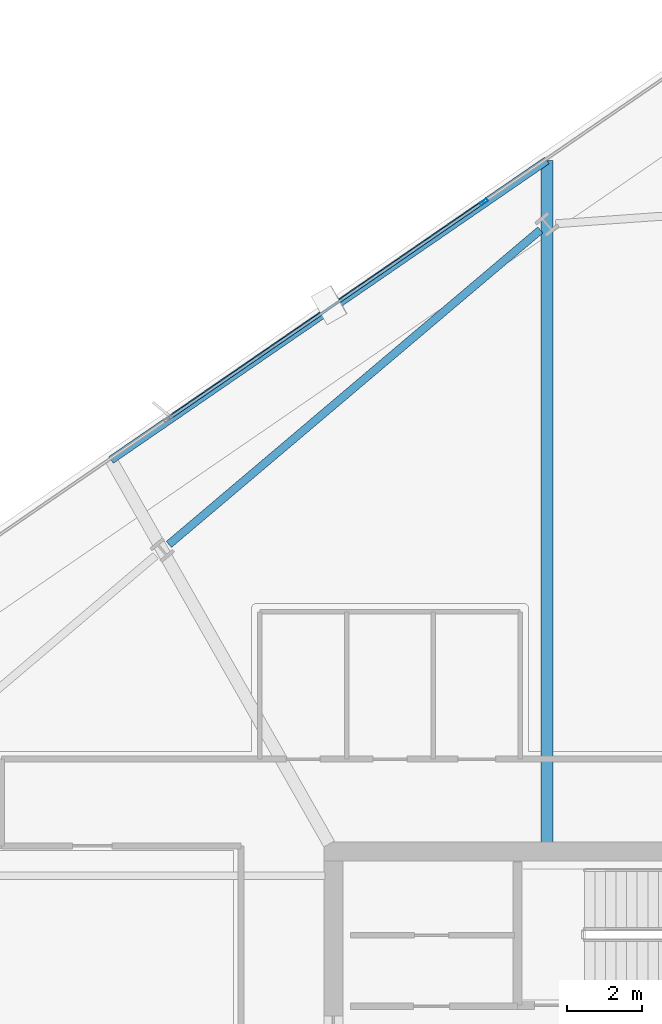
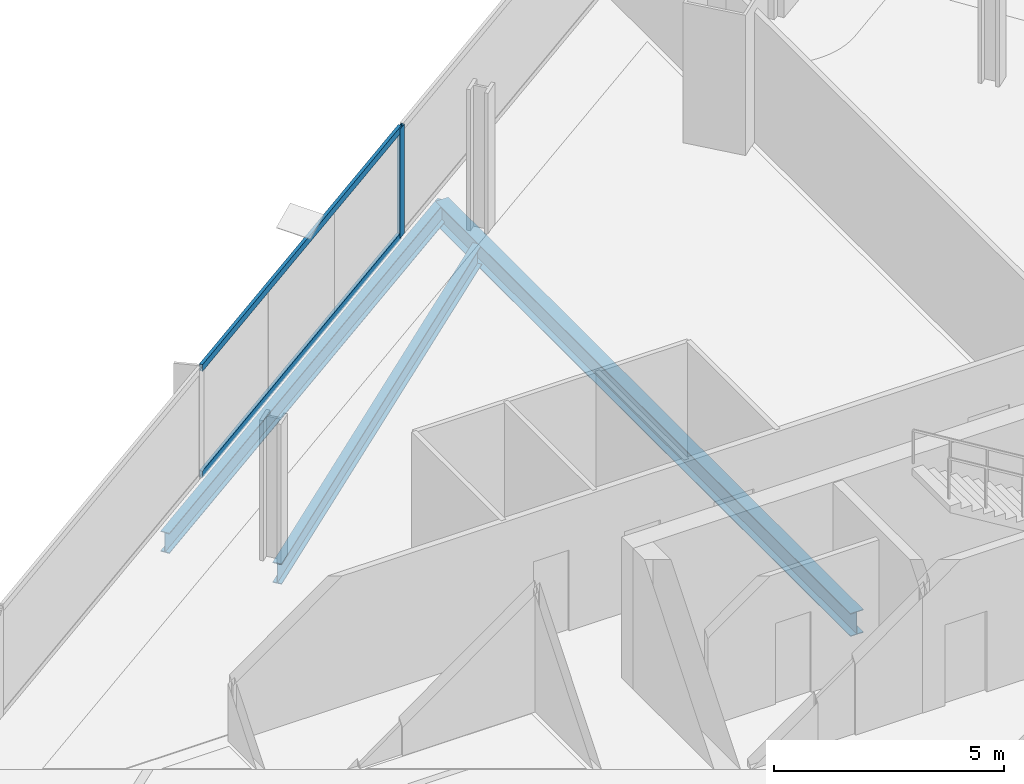
# One storey, part 15 of 29: 3 beams, 3 members, 1 element without a shape of its own.
"""IFC4 building model written with IfcOpenShell, lengths in metres."""

from ifc_helpers import new_model, si_unit, direction, frame, origin, origin_2d, place, context, subcontext, project, spatial, hollow_rectangle, i_section, extrude, material, material_profile, profile_set, type_object, element, aggregate, save


model = new_model("IFC4")

# Units and contexts
model_context = context("Model", 3, precision=1e-05, world=origin(), true_north=direction((0.0, 1.0)))
body_context = subcontext(model_context, "Body", "Model", "MODEL_VIEW")
ifc_project = project(units=[si_unit("LENGTHUNIT", "METRE"), si_unit("AREAUNIT", "SQUARE_METRE"), si_unit("VOLUMEUNIT", "CUBIC_METRE"), si_unit("PLANEANGLEUNIT", "RADIAN"), si_unit("MASSUNIT", "GRAM", prefix="KILO")], contexts=[model_context])

# Site, building, storey
site_placement = place(None, origin())
site = spatial("IfcSite", under=ifc_project, at=site_placement, CompositionType="ELEMENT")
building_placement = place(site_placement, origin())
building = spatial("IfcBuilding", under=site, at=building_placement, Name="Haldenkirk Collegiate Tower", CompositionType="ELEMENT")
storey_placement = place(building_placement, frame((0.0, 0.0, 144.449951171875)))
storey = spatial("IfcBuildingStorey", under=building, at=storey_placement, Name="L35", CompositionType="ELEMENT", Elevation=144.449951171875)

# Beams
ifc_material_1 = material(Name="Steel ASTM A992 Grade 50", Category="steel")
ifc_material_profile_1 = material_profile(ifc_material_1, i_section(OverallWidth=0.324951171875, OverallDepth=0.615966796875, WebThickness=0.013916015625, FlangeThickness=0.021484375, at=origin_2d()), Name="W24X117")
ifc_profile_set_1 = profile_set([ifc_material_profile_1], Name="Steel ASTM A992 Grade 50")
beam_type_1 = type_object("IfcBeamType", Name="BM-GIRDER-W24X117", PredefinedType="BEAM", material=ifc_profile_set_1)
beam_1_placement = place(storey_placement, frame((32.657470703125, 52.314697265625, -0.597900390625), z_axis=(0.0, -1.0, 0.0), x_axis=(1.0, 0.0, 0.0)))
element("IfcBeam", 1, at=beam_1_placement, inside=storey, type_object=beam_type_1, Name="L35 primary floor girder 11", PredefinedType="BEAM", context=body_context, shape_type="SweptSolid", body=[
    extrude(i_section(OverallWidth=0.324951171875, OverallDepth=0.615966796875, WebThickness=0.013916015625, FlangeThickness=0.021484375, at=origin_2d()), origin(), (0.0, 0.0, 1.0), 18.084716796875),
])
ifc_material_profile_2 = material_profile(ifc_material_1, i_section(OverallWidth=0.2119140625, OverallDepth=0.5439453125, WebThickness=0.01318359375, FlangeThickness=0.021240234375, at=origin_2d()), Name="W21X83")
ifc_profile_set_2 = profile_set([ifc_material_profile_2], Name="Steel ASTM A992 Grade 50")
beam_type_2 = type_object("IfcBeamType", Name="BM-SPANDREL-W21X83", PredefinedType="SPANDREL", material=ifc_profile_set_2)
beam_2_placement = place(storey_placement, frame((32.482666015625, 50.471435546875, -0.56201171875), z_axis=(-0.763233335078, -0.646122957514, 0.0), x_axis=(0.646122957514, -0.763233335078, 0.0)))
element("IfcBeam", 2, at=beam_2_placement, inside=storey, type_object=beam_type_2, Name="L35 perimeter spandrel beam 10", PredefinedType="SPANDREL", context=body_context, shape_type="SweptSolid", body=[
    extrude(i_section(OverallWidth=0.2119140625, OverallDepth=0.5439453125, WebThickness=0.01318359375, FlangeThickness=0.021240234375, at=origin_2d()), origin(), (0.0, 0.0, 1.0), 12.898193359375),
])
beam_3_placement = place(storey_placement, frame((32.657470703125, 52.314697265625, -0.56201171875), z_axis=(-0.824130360579, -0.566400166642, 0.0), x_axis=(0.566400166642, -0.824130360579, 0.0)))
element("IfcBeam", 3, at=beam_3_placement, inside=storey, type_object=beam_type_2, Name="L35 outer facade edge beam 3", PredefinedType="SPANDREL", context=body_context, shape_type="SweptSolid", body=[
    extrude(i_section(OverallWidth=0.2119140625, OverallDepth=0.5439453125, WebThickness=0.01318359375, FlangeThickness=0.021240234375, at=origin_2d()), origin(), (0.0, 0.0, 1.0), 14.013916015625),
])

# Curtain wall, members
ifc_material_2 = material(Name="Anodised architectural bronze aluminium", Category="aluminium")
curtain_wall_type = type_object("IfcCurtainWallType", Name="CW-SYS1-CONVEX-LOW", PredefinedType="USERDEFINED", material=ifc_material_2)
curtain_wall_placement = place(storey_placement, origin())
curtain_wall = element("IfcCurtainWall", 4, at=curtain_wall_placement, inside=storey, type_object=curtain_wall_type, Name="L35 Lower tower convex bronze-framed unitised curtain wall", ObjectType="UNITISED CURTAIN WALL", PredefinedType="USERDEFINED")
ifc_material_profile_3 = material_profile(ifc_material_2, hollow_rectangle(XDim=0.080078125, YDim=0.219970703125, WallThickness=0.0048828125, at=origin_2d()), Name="CW-MUL-1A")
ifc_profile_set_3 = profile_set([ifc_material_profile_3], Name="Anodised architectural bronze aluminium")
member_type_1 = type_object("IfcMemberType", Name="CW-MUL-1A", PredefinedType="MULLION", material=ifc_profile_set_3)
member_1_placement = place(storey_placement, frame((30.986328125, 51.21484375, 0.0), z_axis=(0.0, 0.0, 1.0), x_axis=(-0.566404944893, 0.82412707661, 0.0)))
member_1 = element("IfcMember", 5, at=member_1_placement, type_object=member_type_1, Name="CW-1A mullion 4", PredefinedType="MULLION", context=body_context, shape_type="SweptSolid", body=[
    extrude(hollow_rectangle(XDim=0.080078125, YDim=0.219970703125, WallThickness=0.0048828125, at=origin_2d()), origin(), (0.0, 0.0, 1.0), 2.9111328125),
])
ifc_material_profile_4 = material_profile(ifc_material_2, hollow_rectangle(XDim=0.080078125, YDim=0.179931640625, WallThickness=0.0048828125, at=origin_2d()), Name="CW-TRN-1A")
ifc_profile_set_4 = profile_set([ifc_material_profile_4], Name="Anodised architectural bronze aluminium")
member_type_2 = type_object("IfcMemberType", Name="CW-TRN-1A", PredefinedType="USERDEFINED", material=ifc_profile_set_4)
member_2_placement = place(storey_placement, frame((22.654541015625, 45.488525390625, 0.0400390625), z_axis=(0.824126803652, 0.566405342049, 0.0), x_axis=(-0.566405342049, 0.824126803652, 0.0)))
member_2 = element("IfcMember", 6, at=member_2_placement, type_object=member_type_2, Name="CW-1A transom 3.1", ObjectType="TRANSOM", PredefinedType="USERDEFINED", context=body_context, shape_type="SweptSolid", body=[
    extrude(hollow_rectangle(XDim=0.080078125, YDim=0.179931640625, WallThickness=0.0048828125, at=origin_2d()), origin(), (0.0, 0.0, 1.0), 10.06982421875),
])
member_3_placement = place(storey_placement, frame((22.654541015625, 45.488525390625, 2.87109375), z_axis=(0.824126803652, 0.566405342049, 0.0), x_axis=(-0.566405342049, 0.824126803652, 0.0)))
member_3 = element("IfcMember", 7, at=member_3_placement, type_object=member_type_2, Name="CW-1A transom 3.2", ObjectType="TRANSOM", PredefinedType="USERDEFINED", context=body_context, shape_type="SweptSolid", body=[
    extrude(hollow_rectangle(XDim=0.080078125, YDim=0.179931640625, WallThickness=0.0048828125, at=origin_2d()), origin(), (0.0, 0.0, 1.0), 10.06982421875),
])
aggregate(curtain_wall, [member_1, member_2, member_3])

save(model, "model.ifc")
